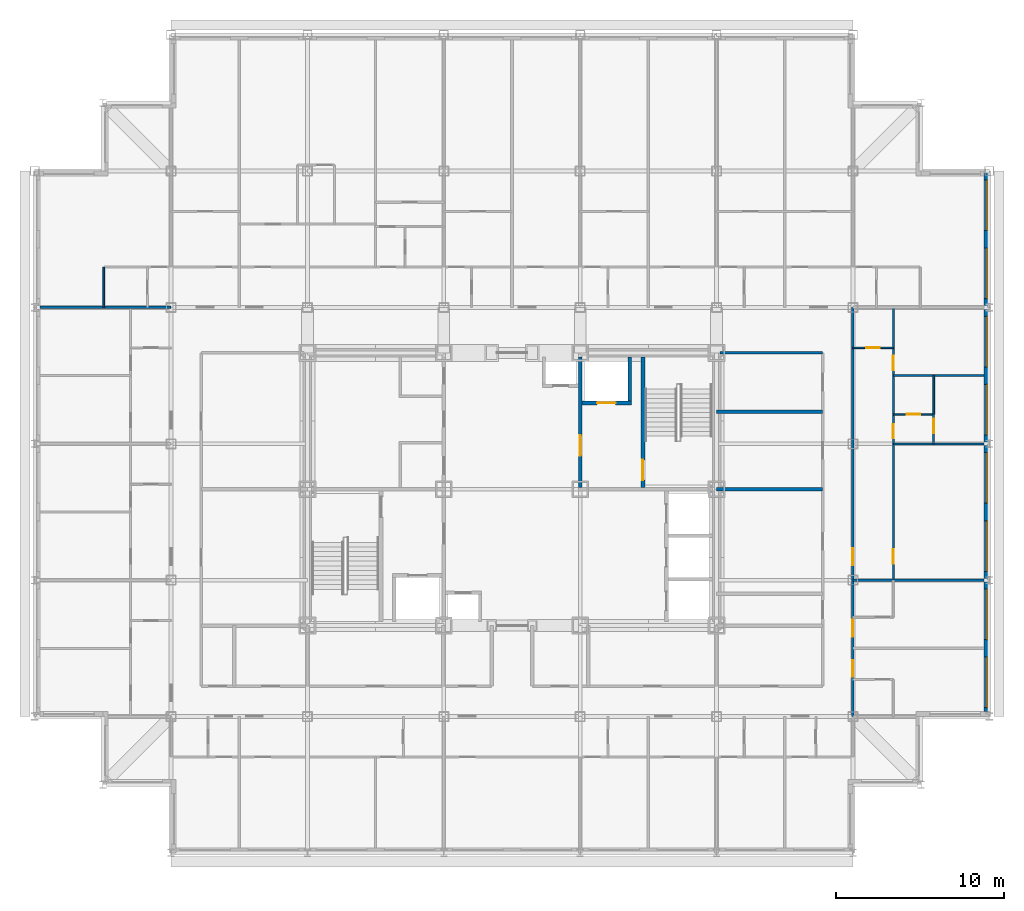
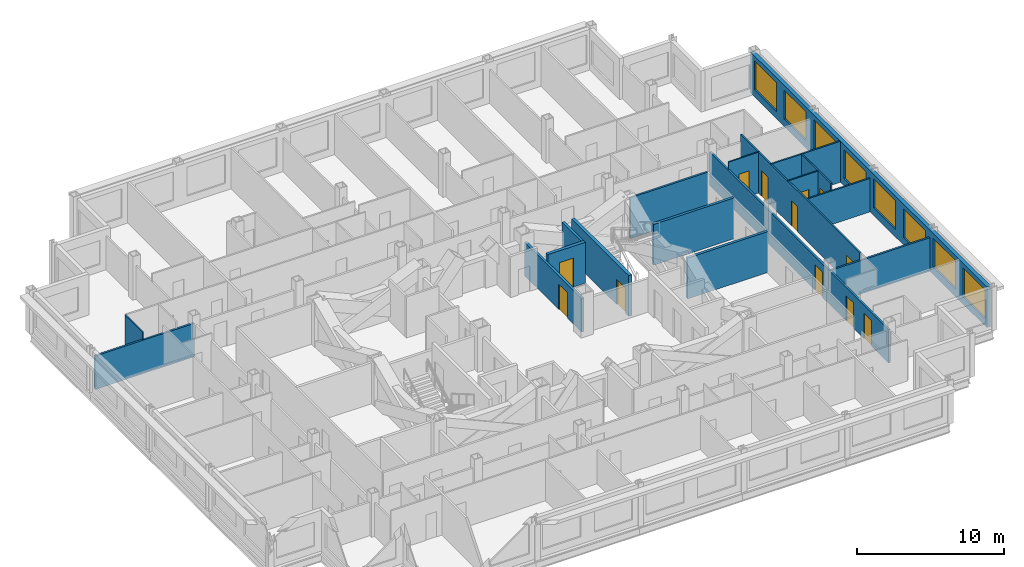
# One storey, part 8 of 12: 19 walls, 12 doors, 8 windows, 20 openings.
"""IFC4 building model written with IfcOpenShell, lengths in metres."""

import ifcopenshell
import ifcopenshell.guid

model = None  # the IFC model being written
_history = None  # IfcOwnerHistory: only IFC2X3 demands one
_inside = {}  # id of a spatial element -> (the spatial element, [elements in it])
_under = {}  # id of a project, library or spatial element -> (it, [spatial elements below it])
_declared = {}  # id of a project -> (the project, [libraries it declares])
_typed = {}  # id of a type object -> (the type object, [elements of that type])
_made_of = {}  # id of a material, layer set ... -> (it, [elements and type objects made of it])


def new_model(schema):
    """Start an empty IFC model of exactly this schema.

    Asked for "IFC4X3", IfcOpenShell would pick the latest addendum, in which some entities
    have other attributes; the version numbers below select the first issue.
    IFC2X3 requires an IfcOwnerHistory on every rooted entity: one is made here for all.
    """
    global model, _history
    if schema == "IFC4X3":
        model = ifcopenshell.file(schema_version=(4, 3, 0, 0))
    else:
        model = ifcopenshell.file(schema=schema)
    _inside.clear()
    _under.clear()
    _declared.clear()
    _typed.clear()
    _made_of.clear()
    _history = None
    if model.schema == "IFC2X3":
        org = make("IfcOrganization", Name="unknown")
        user = make(
            "IfcPersonAndOrganization",
            ThePerson=make("IfcPerson", FamilyName="unknown"),
            TheOrganization=org,
        )
        app = make(
            "IfcApplication",
            ApplicationDeveloper=org,
            Version="unknown",
            ApplicationFullName="unknown",
            ApplicationIdentifier="unknown",
        )
        _history = make(
            "IfcOwnerHistory",
            OwningUser=user,
            OwningApplication=app,
            ChangeAction="ADDED",
            CreationDate=0,
        )
    return model


def make(cls, **values):
    """One entity of the class cls with the attributes given. An attribute that is None is left unset."""
    return model.create_entity(
        cls, **{name: value for name, value in values.items() if value is not None}
    )


def rooted(cls, **values):
    """An entity with a GlobalId (a new one), such as an element, a storey or a relation."""
    return make(cls, GlobalId=ifcopenshell.guid.new(), OwnerHistory=_history, **values)


def si_unit(unit_type, name, prefix=None):
    """IfcSIUnit, for example si_unit("LENGTHUNIT", "METRE", prefix="MILLI")."""
    return make("IfcSIUnit", UnitType=unit_type, Prefix=prefix, Name=name)


def assignment(units):
    """IfcUnitAssignment: the units of a project."""
    return None if units is None else make("IfcUnitAssignment", Units=units)


def point(xyz):
    """IfcCartesianPoint."""
    return None if xyz is None else make("IfcCartesianPoint", Coordinates=xyz)


def direction(xyz):
    """IfcDirection."""
    return None if xyz is None else make("IfcDirection", DirectionRatios=xyz)


def frame(location, z_axis=None, x_axis=None):
    """IfcAxis2Placement3D, a coordinate frame: its origin and axes. An axis left out is left unset."""
    return make(
        "IfcAxis2Placement3D",
        Location=point(location),
        Axis=direction(z_axis),
        RefDirection=direction(x_axis),
    )


def frame_2d(location, x_axis=None):
    """IfcAxis2Placement2D, a coordinate frame in the plane: its origin and x axis."""
    return make(
        "IfcAxis2Placement2D", Location=point(location), RefDirection=direction(x_axis)
    )


def origin():
    """The frame at (0, 0, 0) with its axes left unset."""
    return frame((0.0, 0.0, 0.0))


def place(relative_to, where):
    """IfcLocalPlacement: puts the frame where relative to a parent placement (None: the world)."""
    return make(
        "IfcLocalPlacement", PlacementRelTo=relative_to, RelativePlacement=where
    )


def context(
    kind, dimensions, precision=None, world=None, true_north=None, identifier=None
):
    """IfcGeometricRepresentationContext, for example the 3D "Model" context."""
    return make(
        "IfcGeometricRepresentationContext",
        ContextIdentifier=identifier,
        ContextType=kind,
        CoordinateSpaceDimension=dimensions,
        Precision=precision,
        WorldCoordinateSystem=world,
        TrueNorth=true_north,
    )


def subcontext(parent, identifier, kind, view, scale=None):
    """IfcGeometricRepresentationSubContext, for example "Body" below "Model"."""
    return make(
        "IfcGeometricRepresentationSubContext",
        ContextIdentifier=identifier,
        ContextType=kind,
        ParentContext=parent,
        TargetScale=scale,
        TargetView=view,
    )


def project(units=None, contexts=None):
    """IfcProject with its units and contexts."""
    return rooted(
        "IfcProject",
        Name="project",
        RepresentationContexts=contexts,
        UnitsInContext=assignment(units),
    )


def spatial(cls, under=None, at=None, **own):
    """A site, building, storey or space (cls), placed at a placement, below another one or the project."""
    s = rooted(cls, ObjectPlacement=at, **own)
    if under is not None:
        _under.setdefault(under.id(), (under, []))[1].append(s)
    return s


def profile(cls, at=None, kind="AREA", **sizes):
    """A parametric profile (cls). Its sizes go by their IFC names, for example OverallWidth=200.0."""
    return make(cls, ProfileType=kind, Position=at, **sizes)


def rectangle(**sizes):
    """IfcRectangleProfileDef."""
    return profile("IfcRectangleProfileDef", **sizes)


def extrude(swept, where, along, depth):
    """IfcExtrudedAreaSolid: the profile swept, set in the frame where, extruded along a direction by depth."""
    return make(
        "IfcExtrudedAreaSolid",
        SweptArea=swept,
        Position=where,
        ExtrudedDirection=direction(along),
        Depth=depth,
    )


def shape(context_of_items, identifier, shape_type, items):
    """IfcShapeRepresentation: the items that make up one representation, for example the "Body"."""
    return make(
        "IfcShapeRepresentation",
        ContextOfItems=context_of_items,
        RepresentationIdentifier=identifier,
        RepresentationType=shape_type,
        Items=items,
    )


def material(Name=None, Category=None):
    """IfcMaterial."""
    return make("IfcMaterial", Name=Name, Category=Category)


def layer(
    of_material, thickness, ventilated=None, Name=None, Category=None, Priority=None
):
    """IfcMaterialLayer: one layer of a wall or slab, of a material (None: an air gap)."""
    return make(
        "IfcMaterialLayer",
        Material=of_material,
        LayerThickness=thickness,
        IsVentilated=ventilated,
        Name=Name,
        Category=Category,
        Priority=Priority,
    )


def layer_set(layers, Name=None):
    """IfcMaterialLayerSet."""
    return make("IfcMaterialLayerSet", MaterialLayers=layers, LayerSetName=Name)


def made_of(thing, what):
    """Note that an element or type object is made of a material, layer set ...; save() writes the relation."""
    if what is not None:
        _made_of.setdefault(what.id(), (what, []))[1].append(thing)
    return thing


def type_object(cls, material=None, **own):
    """A type object (cls), such as IfcWallType, which elements share."""
    return made_of(rooted(cls, **own), material)


def element(
    cls,
    number,
    at=None,
    inside=None,
    cuts=None,
    type_object=None,
    material=None,
    context=None,
    identifier="Body",
    shape_type=None,
    held_by="IfcProductDefinitionShape",
    body=None,
    shapes=None,
    **own,
):
    """One element of the class cls, such as IfcWall. Its Tag is "e" and its number.

    at: its placement. inside: the storey or other place that contains it. cuts: it is an
    opening in that element (IfcRelVoidsElement). A single representation is given by context,
    identifier, shape_type and body (its items); several are given by shapes. held_by: the class
    of the entity that holds the representations. save() writes the other relations.
    """
    e = rooted(cls, Tag="e%d" % number, ObjectPlacement=at, **own)
    if body is not None:
        shapes = [shape(context, identifier, shape_type, body)]
    if shapes is not None:
        e.Representation = make(held_by, Representations=shapes)
    if inside is not None:
        _inside.setdefault(inside.id(), (inside, []))[1].append(e)
    if cuts is not None:
        rooted(
            "IfcRelVoidsElement", RelatingBuildingElement=cuts, RelatedOpeningElement=e
        )
    if type_object is not None:
        _typed.setdefault(type_object.id(), (type_object, []))[1].append(e)
    return made_of(e, material)


def fill(opening, filler):
    """IfcRelFillsElement: the door or window that sits in an opening."""
    return rooted(
        "IfcRelFillsElement",
        RelatingOpeningElement=opening,
        RelatedBuildingElement=filler,
    )


def aggregate(whole, parts):
    """IfcRelAggregates: a whole, such as a stair, and the parts it consists of."""
    return rooted("IfcRelAggregates", RelatingObject=whole, RelatedObjects=parts)


def save(model, path):
    """Write the relations noted so far, then the file.

    IfcRelAggregates (storeys below a building ...), IfcRelContainedInSpatialStructure (elements
    in a storey), IfcRelDefinesByType, IfcRelAssociatesMaterial and IfcRelDeclares: one each for
    every whole, place, type object, material and project.
    """
    for whole, parts in _under.values():
        aggregate(whole, parts)
    for where, things in _inside.values():
        rooted(
            "IfcRelContainedInSpatialStructure",
            RelatedElements=things,
            RelatingStructure=where,
        )
    for kind, things in _typed.values():
        rooted("IfcRelDefinesByType", RelatedObjects=things, RelatingType=kind)
    for what, things in _made_of.values():
        rooted("IfcRelAssociatesMaterial", RelatedObjects=things, RelatingMaterial=what)
    for by, libraries in _declared.values():
        rooted("IfcRelDeclares", RelatingContext=by, RelatedDefinitions=libraries)
    model.write(path)


model = new_model("IFC4")

# Units and contexts
model_context = context("Model", 3, precision=1e-05, world=origin(), true_north=direction((0.0, 1.0)))
body_context = subcontext(model_context, "Body", "Model", "MODEL_VIEW")
ifc_project = project(units=[si_unit("LENGTHUNIT", "METRE"), si_unit("AREAUNIT", "SQUARE_METRE"), si_unit("VOLUMEUNIT", "CUBIC_METRE"), si_unit("PLANEANGLEUNIT", "RADIAN"), si_unit("MASSUNIT", "GRAM", prefix="KILO")], contexts=[model_context])

# Site, building, storey
site_placement = place(None, origin())
site = spatial("IfcSite", under=ifc_project, at=site_placement, CompositionType="ELEMENT")
building_placement = place(site_placement, origin())
building = spatial("IfcBuilding", under=site, at=building_placement, Name="Kopane Lantern Tower", CompositionType="ELEMENT")
storey_placement = place(building_placement, frame((0.0, 0.0, 199.199951171875)))
storey = spatial("IfcBuildingStorey", under=building, at=storey_placement, Name="L51", CompositionType="ELEMENT", Elevation=199.199951171875)

# Wall, openings, doors
ifc_material_1 = material(Name="Gypsum board on steel studs", Category="steel")
ifc_layer_1 = layer(ifc_material_1, 0.1201171875)
ifc_layer_set_1 = layer_set([ifc_layer_1], Name="APARTMENT INTERNAL WALL 120")
wall_type_1 = type_object("IfcWallType", Name="APARTMENT INTERNAL WALL 120", PredefinedType="PARTITIONING", material=ifc_layer_set_1)
wall_1_placement = place(storey_placement, frame((51.0, 27.0, 0.0), z_axis=(0.0, 0.0, 1.0), x_axis=(0.0, 1.0, 0.0)))
wall_1 = element("IfcWall", 1, at=wall_1_placement, inside=storey, type_object=wall_type_1, Name="Apartment Internal Wall 120 L51", PredefinedType="PARTITIONING", context=body_context, shape_type="SweptSolid", body=[
    extrude(rectangle(XDim=16.199951171875, YDim=0.1201171875, at=frame_2d((8.10009765625, 0.0))), origin(), (0.0, 0.0, 1.0), 3.39013671875),
])
opening_1_placement = place(wall_1_placement, frame((0.97509765625, 0.0, 0.0)))
opening_1 = element("IfcOpeningElement", 2, at=opening_1_placement, cuts=wall_1, Name="Opening L51-058", PredefinedType="OPENING", context=body_context, shape_type="SweptSolid", body=[
    extrude(rectangle(XDim=0.85009765625, YDim=2.10009765625, at=frame_2d((0.425048828125, 1.050048828125))), frame((0.0, 0.070068359375, 0.0), z_axis=(0.0, -1.0, 0.0), x_axis=(1.0, 0.0, 0.0)), (0.0, 0.0, 1.0), 0.14013671875),
])
opening_2_placement = place(wall_1_placement, frame((8.425048828125, 0.0, 0.0)))
opening_2 = element("IfcOpeningElement", 3, at=opening_2_placement, cuts=wall_1, Name="Opening L51-060", PredefinedType="OPENING", context=body_context, shape_type="SweptSolid", body=[
    extrude(rectangle(XDim=0.85009765625, YDim=2.10009765625, at=frame_2d((0.425048828125, 1.050048828125))), frame((0.0, 0.070068359375, 0.0), z_axis=(0.0, -1.0, 0.0), x_axis=(1.0, 0.0, 0.0)), (0.0, 0.0, 1.0), 0.14013671875),
])
opening_3_placement = place(wall_1_placement, frame((12.47509765625, 0.0, 0.0)))
opening_3 = element("IfcOpeningElement", 4, at=opening_3_placement, cuts=wall_1, Name="Opening L51-061", PredefinedType="OPENING", context=body_context, shape_type="SweptSolid", body=[
    extrude(rectangle(XDim=0.85009765625, YDim=2.10009765625, at=frame_2d((0.425048828125, 1.050048828125))), frame((0.0, 0.070068359375, 0.0), z_axis=(0.0, -1.0, 0.0), x_axis=(1.0, 0.0, 0.0)), (0.0, 0.0, 1.0), 0.14013671875),
])
ifc_material_2 = material(Name="Timber door set", Category="wood")
door_type_1 = type_object("IfcDoorType", Name="DOOR D4 850x2100", OperationType="SINGLE_SWING_LEFT", PredefinedType="DOOR", material=ifc_material_2)
door_1_placement = place(opening_1_placement, origin())
door_1 = element("IfcDoor", 5, at=door_1_placement, inside=storey, type_object=door_type_1, Name="Door L51-058", OperationType="SINGLE_SWING_LEFT", OverallHeight=2.10009765625, OverallWidth=0.85009765625, PredefinedType="DOOR", context=body_context, shape_type="SweptSolid", body=[
    extrude(rectangle(XDim=0.85009765625, YDim=2.10009765625, at=frame_2d((0.425048828125, 1.050048828125))), frame((0.0, 0.02490234375, 0.0), z_axis=(0.0, -1.0, 0.0), x_axis=(1.0, 0.0, 0.0)), (0.0, 0.0, 1.0), 0.050048828125),
])
fill(opening_1, door_1)
door_2_placement = place(opening_2_placement, origin())
door_2 = element("IfcDoor", 6, at=door_2_placement, inside=storey, type_object=door_type_1, Name="Door L51-060", OperationType="SINGLE_SWING_RIGHT", OverallHeight=2.10009765625, OverallWidth=0.85009765625, PredefinedType="DOOR", context=body_context, shape_type="SweptSolid", body=[
    extrude(rectangle(XDim=0.85009765625, YDim=2.10009765625, at=frame_2d((0.425048828125, 1.050048828125))), frame((0.0, 0.02490234375, 0.0), z_axis=(0.0, -1.0, 0.0), x_axis=(1.0, 0.0, 0.0)), (0.0, 0.0, 1.0), 0.050048828125),
])
fill(opening_2, door_2)
door_3_placement = place(opening_3_placement, origin())
door_3 = element("IfcDoor", 7, at=door_3_placement, inside=storey, type_object=door_type_1, Name="Door L51-061", OperationType="SINGLE_SWING_RIGHT", OverallHeight=2.10009765625, OverallWidth=0.85009765625, PredefinedType="DOOR", context=body_context, shape_type="SweptSolid", body=[
    extrude(rectangle(XDim=0.85009765625, YDim=2.10009765625, at=frame_2d((0.425048828125, 1.050048828125))), frame((0.0, 0.02490234375, 0.0), z_axis=(0.0, -1.0, 0.0), x_axis=(1.0, 0.0, 0.0)), (0.0, 0.0, 1.0), 0.050048828125),
])
fill(opening_3, door_3)

# Walls
wall_2_placement = place(storey_placement, frame((51.0, 35.10009765625, 0.0), z_axis=(0.0, 0.0, 1.0), x_axis=(1.0, 0.0, 0.0)))
element("IfcWall", 8, at=wall_2_placement, inside=storey, type_object=wall_type_1, Name="Apartment Internal Wall 120 L51", PredefinedType="PARTITIONING", context=body_context, shape_type="SweptSolid", body=[
    extrude(rectangle(XDim=5.39990234375, YDim=0.1201171875, at=frame_2d((2.699951171875, 0.0))), origin(), (0.0, 0.0, 1.0), 2.77783203125),
])
wall_3_placement = place(storey_placement, frame((51.0, 39.14990234375, 0.0), z_axis=(0.0, 0.0, 1.0), x_axis=(1.0, 0.0, 0.0)))
element("IfcWall", 9, at=wall_3_placement, inside=storey, type_object=wall_type_1, Name="Apartment Internal Wall 120 L51", PredefinedType="PARTITIONING", context=body_context, shape_type="SweptSolid", body=[
    extrude(rectangle(XDim=5.39990234375, YDim=0.1201171875, at=frame_2d((2.699951171875, 0.0))), origin(), (0.0, 0.0, 1.0), 3.39013671875),
])

# Wall, opening, door
wall_4_placement = place(storey_placement, frame((53.39990234375, 36.860107421875, 0.0), z_axis=(0.0, 0.0, 1.0), x_axis=(0.0, -1.0, 0.0)))
wall_4 = element("IfcWall", 10, at=wall_4_placement, inside=storey, type_object=wall_type_1, Name="Apartment Internal Wall 120 L51", PredefinedType="PARTITIONING", context=body_context, shape_type="SweptSolid", body=[
    extrude(rectangle(XDim=1.760009765625, YDim=0.1201171875, at=frame_2d((0.8798828125, 0.0))), origin(), (0.0, 0.0, 1.0), 3.39013671875),
])
opening_4_placement = place(wall_4_placement, frame((0.27490234375, 0.0, 0.0)))
opening_4 = element("IfcOpeningElement", 11, at=opening_4_placement, cuts=wall_4, Name="Opening L51-077", PredefinedType="OPENING", context=body_context, shape_type="SweptSolid", body=[
    extrude(rectangle(XDim=0.85009765625, YDim=2.10009765625, at=frame_2d((0.425048828125, 1.050048828125))), frame((0.0, 0.070068359375, 0.0), z_axis=(0.0, -1.0, 0.0), x_axis=(1.0, 0.0, 0.0)), (0.0, 0.0, 1.0), 0.14013671875),
])
door_4_placement = place(opening_4_placement, origin())
door_4 = element("IfcDoor", 12, at=door_4_placement, inside=storey, type_object=door_type_1, Name="Door L51-077", OperationType="SINGLE_SWING_RIGHT", OverallHeight=2.10009765625, OverallWidth=0.85009765625, PredefinedType="DOOR", context=body_context, shape_type="SweptSolid", body=[
    extrude(rectangle(XDim=0.85009765625, YDim=2.10009765625, at=frame_2d((0.425048828125, 1.050048828125))), frame((0.0, 0.02490234375, 0.0), z_axis=(0.0, -1.0, 0.0), x_axis=(1.0, 0.0, 0.0)), (0.0, 0.0, 1.0), 0.050048828125),
])
fill(opening_4, door_4)

ifc_material_3 = material(Name="Moisture-resistant board on steel studs", Category="steel")
ifc_layer_2 = layer(ifc_material_3, 0.10009765625)
ifc_layer_set_2 = layer_set([ifc_layer_2], Name="BATHROOM WALL 100")
wall_type_2 = type_object("IfcWallType", Name="BATHROOM WALL 100", PredefinedType="PARTITIONING", material=ifc_layer_set_2)
wall_5_placement = place(storey_placement, frame((48.60009765625, 40.800048828125, 0.0), z_axis=(0.0, 0.0, 1.0), x_axis=(1.0, 0.0, 0.0)))
wall_5 = element("IfcWall", 13, at=wall_5_placement, inside=storey, type_object=wall_type_2, Name="Bathroom Wall 100 L51", PredefinedType="PARTITIONING", context=body_context, shape_type="SweptSolid", body=[
    extrude(rectangle(XDim=2.39990234375, YDim=0.10009765625, at=frame_2d((1.199951171875, 0.0))), origin(), (0.0, 0.0, 1.0), 3.39013671875),
])
opening_5_placement = place(wall_5_placement, frame((0.800048828125, 0.0, 0.0)))
opening_5 = element("IfcOpeningElement", 14, at=opening_5_placement, cuts=wall_5, Name="Opening L51-056", PredefinedType="OPENING", context=body_context, shape_type="SweptSolid", body=[
    extrude(rectangle(XDim=0.800048828125, YDim=2.10009765625, at=frame_2d((0.39990234375, 1.050048828125))), frame((0.0, 0.06005859375, 0.0), z_axis=(0.0, -1.0, 0.0), x_axis=(1.0, 0.0, 0.0)), (0.0, 0.0, 1.0), 0.1201171875),
])
ifc_material_4 = material(Name="Timber door set", Category="wood")
door_type_2 = type_object("IfcDoorType", Name="DOOR D2 800x2100", OperationType="SINGLE_SWING_LEFT", PredefinedType="DOOR", material=ifc_material_4)
door_5_placement = place(opening_5_placement, origin())
door_5 = element("IfcDoor", 15, at=door_5_placement, inside=storey, type_object=door_type_2, Name="Door L51-056", OperationType="SINGLE_SWING_LEFT", OverallHeight=2.10009765625, OverallWidth=0.800048828125, PredefinedType="DOOR", context=body_context, shape_type="SweptSolid", body=[
    extrude(rectangle(XDim=0.800048828125, YDim=2.10009765625, at=frame_2d((0.39990234375, 1.050048828125))), frame((0.0, 0.02490234375, 0.0), z_axis=(0.0, -1.0, 0.0), x_axis=(1.0, 0.0, 0.0)), (0.0, 0.0, 1.0), 0.050048828125),
])
fill(opening_5, door_5)

wall_6_placement = place(storey_placement, frame((51.0, 36.85009765625, 0.0), z_axis=(0.0, 0.0, 1.0), x_axis=(1.0, 0.0, 0.0)))
wall_6 = element("IfcWall", 16, at=wall_6_placement, inside=storey, type_object=wall_type_2, Name="Bathroom Wall 100 L51", PredefinedType="PARTITIONING", context=body_context, shape_type="SweptSolid", body=[
    extrude(rectangle(XDim=2.39990234375, YDim=0.10009765625, at=frame_2d((1.199951171875, 0.0))), origin(), (0.0, 0.0, 1.0), 3.39013671875),
])
opening_6_placement = place(wall_6_placement, frame((0.800048828125, 0.0, 0.0)))
opening_6 = element("IfcOpeningElement", 17, at=opening_6_placement, cuts=wall_6, Name="Opening L51-059", PredefinedType="OPENING", context=body_context, shape_type="SweptSolid", body=[
    extrude(rectangle(XDim=0.800048828125, YDim=2.10009765625, at=frame_2d((0.39990234375, 1.050048828125))), frame((0.0, 0.06005859375, 0.0), z_axis=(0.0, -1.0, 0.0), x_axis=(1.0, 0.0, 0.0)), (0.0, 0.0, 1.0), 0.1201171875),
])
door_6_placement = place(opening_6_placement, origin())
door_6 = element("IfcDoor", 18, at=door_6_placement, inside=storey, type_object=door_type_2, Name="Door L51-059", OperationType="SINGLE_SWING_LEFT", OverallHeight=2.10009765625, OverallWidth=0.800048828125, PredefinedType="DOOR", context=body_context, shape_type="SweptSolid", body=[
    extrude(rectangle(XDim=0.800048828125, YDim=2.10009765625, at=frame_2d((0.39990234375, 1.050048828125))), frame((0.0, 0.02490234375, 0.0), z_axis=(0.0, -1.0, 0.0), x_axis=(1.0, 0.0, 0.0)), (0.0, 0.0, 1.0), 0.050048828125),
])
fill(opening_6, door_6)

# Walls
wall_7_placement = place(storey_placement, frame((53.39990234375, 36.85009765625, 0.0), z_axis=(0.0, 0.0, 1.0), x_axis=(0.0, 1.0, 0.0)))
element("IfcWall", 19, at=wall_7_placement, inside=storey, type_object=wall_type_2, Name="Bathroom Wall 100 L51", PredefinedType="PARTITIONING", context=body_context, shape_type="SweptSolid", body=[
    extrude(rectangle(XDim=2.2998046875, YDim=0.10009765625, at=frame_2d((1.14990234375, 0.0))), origin(), (0.0, 0.0, 1.0), 3.39013671875),
])
wall_8_placement = place(storey_placement, frame((4.10009765625, 43.199951171875, 0.0), z_axis=(0.0, 0.0, 1.0), x_axis=(0.0, 1.0, 0.0)))
element("IfcWall", 20, at=wall_8_placement, inside=storey, type_object=wall_type_2, Name="Bathroom Wall 100 L51", PredefinedType="PARTITIONING", context=body_context, shape_type="SweptSolid", body=[
    extrude(rectangle(XDim=2.400146484375, YDim=0.10009765625, at=frame_2d((1.2001953125, 0.0))), origin(), (0.0, 0.0, 1.0), 3.39013671875),
])

# Wall, opening, door
ifc_material_5 = material(Name="Gypsum shaft wall EI 120", Category="gypsum")
ifc_layer_3 = layer(ifc_material_5, 0.25)
ifc_layer_set_3 = layer_set([ifc_layer_3], Name="CORE SHAFT WALL 250 EI 120")
wall_type_3 = type_object("IfcWallType", Name="CORE SHAFT WALL 250 EI 120", PredefinedType="SOLIDWALL", material=ifc_layer_set_3)
wall_9_placement = place(storey_placement, frame((36.125, 32.5, 0.0), z_axis=(0.0, 0.0, 1.0), x_axis=(0.0, 1.0, 0.0)))
wall_9 = element("IfcWall", 21, at=wall_9_placement, inside=storey, type_object=wall_type_3, Name="Core shaft wall L51 XST2", PredefinedType="SOLIDWALL", context=body_context, shape_type="SweptSolid", body=[
    extrude(rectangle(XDim=7.75, YDim=0.25, at=frame_2d((3.875, 0.0))), origin(), (0.0, 0.0, 1.0), 3.39013671875),
])
opening_7_placement = place(wall_9_placement, frame((0.449951171875, 0.0, 0.0)))
opening_7 = element("IfcOpeningElement", 22, at=opening_7_placement, cuts=wall_9, Name="Opening 51.SD2", PredefinedType="OPENING", context=body_context, shape_type="SweptSolid", body=[
    extrude(rectangle(XDim=1.199951171875, YDim=2.10009765625, at=frame_2d((0.60009765625, 1.050048828125))), frame((0.0, 0.135009765625, 0.0), z_axis=(0.0, -1.0, 0.0), x_axis=(1.0, 0.0, 0.0)), (0.0, 0.0, 1.0), 0.27001953125),
])
ifc_material_6 = material(Name="Steel door set", Category="steel")
door_type_3 = type_object("IfcDoorType", Name="STAIR DOOR 1200x2100 FD60S", OperationType="SINGLE_SWING_LEFT", PredefinedType="DOOR", material=ifc_material_6)
door_7_placement = place(opening_7_placement, origin())
door_7 = element("IfcDoor", 23, at=door_7_placement, inside=storey, type_object=door_type_3, Name="Stair door ST2 L51", OperationType="SINGLE_SWING_RIGHT", OverallHeight=2.10009765625, OverallWidth=1.199951171875, PredefinedType="DOOR", context=body_context, shape_type="SweptSolid", body=[
    extrude(rectangle(XDim=1.199951171875, YDim=2.10009765625, at=frame_2d((0.60009765625, 1.050048828125))), frame((0.0, 0.02490234375, 0.0), z_axis=(0.0, -1.0, 0.0), x_axis=(1.0, 0.0, 0.0)), (0.0, 0.0, 1.0), 0.050048828125),
])
fill(opening_7, door_7)

wall_10_placement = place(storey_placement, frame((32.5, 37.52490234375, 0.0), z_axis=(0.0, 0.0, 1.0), x_axis=(1.0, 0.0, 0.0)))
wall_10 = element("IfcWall", 24, at=wall_10_placement, inside=storey, type_object=wall_type_3, Name="Core shaft wall L51 YLF2", PredefinedType="SOLIDWALL", context=body_context, shape_type="SweptSolid", body=[
    extrude(rectangle(XDim=2.949951171875, YDim=0.25, at=frame_2d((1.47509765625, 0.0))), origin(), (0.0, 0.0, 1.0), 3.39013671875),
])
opening_8_placement = place(wall_10_placement, frame((0.89990234375, 0.0, 0.0)))
opening_8 = element("IfcOpeningElement", 25, at=opening_8_placement, cuts=wall_10, Name="Opening 51.LD-LF2", PredefinedType="OPENING", context=body_context, shape_type="SweptSolid", body=[
    extrude(rectangle(XDim=1.10009765625, YDim=2.39990234375, at=frame_2d((0.550048828125, 1.199951171875))), frame((0.0, 0.135009765625, 0.0), z_axis=(0.0, -1.0, 0.0), x_axis=(1.0, 0.0, 0.0)), (0.0, 0.0, 1.0), 0.27001953125),
])
ifc_material_7 = material(Name="Steel door set", Category="steel")
door_type_4 = type_object("IfcDoorType", Name="LIFT LANDING DOOR 1100x2400 FD60", OperationType="DOUBLE_DOOR_SLIDING", PredefinedType="DOOR", material=ifc_material_7)
door_8_placement = place(opening_8_placement, origin())
door_8 = element("IfcDoor", 26, at=door_8_placement, inside=storey, type_object=door_type_4, Name="Landing door LF2 L51", OperationType="DOUBLE_DOOR_SLIDING", OverallHeight=2.39990234375, OverallWidth=1.10009765625, PredefinedType="DOOR", context=body_context, shape_type="SweptSolid", body=[
    extrude(rectangle(XDim=1.10009765625, YDim=2.39990234375, at=frame_2d((0.550048828125, 1.199951171875))), frame((0.0, 0.02490234375, 0.0), z_axis=(0.0, -1.0, 0.0), x_axis=(1.0, 0.0, 0.0)), (0.0, 0.0, 1.0), 0.050048828125),
])
fill(opening_8, door_8)

# Wall, openings, doors
ifc_material_8 = material(Name="Gypsum board on steel studs", Category="steel")
ifc_layer_4 = layer(ifc_material_8, 0.14990234375)
ifc_layer_set_4 = layer_set([ifc_layer_4], Name="CORRIDOR WALL 150 EI 60")
wall_type_4 = type_object("IfcWallType", Name="CORRIDOR WALL 150 EI 60", PredefinedType="PARTITIONING", material=ifc_layer_set_4)
wall_11_placement = place(storey_placement, frame((48.60009765625, 18.89990234375, 0.0), z_axis=(0.0, 0.0, 1.0), x_axis=(0.0, 1.0, 0.0)))
wall_11 = element("IfcWall", 27, at=wall_11_placement, inside=storey, type_object=wall_type_4, Name="Corridor Wall 150 Ei 60 L51", PredefinedType="PARTITIONING", context=body_context, shape_type="SweptSolid", body=[
    extrude(rectangle(XDim=24.300048828125, YDim=0.14990234375, at=frame_2d((12.14990234375, 0.0))), origin(), (0.0, 0.0, 1.0), 2.77783203125),
])
opening_9_placement = place(wall_11_placement, frame((2.35009765625, 0.0, 0.0)))
opening_9 = element("IfcOpeningElement", 28, at=opening_9_placement, cuts=wall_11, Name="Opening L51-053", PredefinedType="OPENING", context=body_context, shape_type="SweptSolid", body=[
    extrude(rectangle(XDim=1.0, YDim=2.10009765625, at=frame_2d((0.5, 1.050048828125))), frame((0.0, 0.0849609375, 0.0), z_axis=(0.0, -1.0, 0.0), x_axis=(1.0, 0.0, 0.0)), (0.0, 0.0, 1.0), 0.169921875),
])
opening_10_placement = place(wall_11_placement, frame((4.75, 0.0, 0.0)))
opening_10 = element("IfcOpeningElement", 29, at=opening_10_placement, cuts=wall_11, Name="Opening L51-055", PredefinedType="OPENING", context=body_context, shape_type="SweptSolid", body=[
    extrude(rectangle(XDim=1.0, YDim=2.10009765625, at=frame_2d((0.5, 1.050048828125))), frame((0.0, 0.0849609375, 0.0), z_axis=(0.0, -1.0, 0.0), x_axis=(1.0, 0.0, 0.0)), (0.0, 0.0, 1.0), 0.169921875),
])
opening_11_placement = place(wall_11_placement, frame((9.0, 0.0, 0.0)))
opening_11 = element("IfcOpeningElement", 30, at=opening_11_placement, cuts=wall_11, Name="Opening L51-057", PredefinedType="OPENING", context=body_context, shape_type="SweptSolid", body=[
    extrude(rectangle(XDim=1.0, YDim=2.10009765625, at=frame_2d((0.5, 1.050048828125))), frame((0.0, 0.0849609375, 0.0), z_axis=(0.0, -1.0, 0.0), x_axis=(1.0, 0.0, 0.0)), (0.0, 0.0, 1.0), 0.169921875),
])
ifc_material_9 = material(Name="Steel door set", Category="steel")
door_type_5 = type_object("IfcDoorType", Name="DOOR D3 1000x2100 FD30S", OperationType="SINGLE_SWING_LEFT", PredefinedType="DOOR", material=ifc_material_9)
door_9_placement = place(opening_9_placement, origin())
door_9 = element("IfcDoor", 31, at=door_9_placement, inside=storey, type_object=door_type_5, Name="Door L51-053", OperationType="SINGLE_SWING_RIGHT", OverallHeight=2.10009765625, OverallWidth=1.0, PredefinedType="DOOR", context=body_context, shape_type="SweptSolid", body=[
    extrude(rectangle(XDim=1.0, YDim=2.10009765625, at=frame_2d((0.5, 1.050048828125))), frame((0.0, 0.02490234375, 0.0), z_axis=(0.0, -1.0, 0.0), x_axis=(1.0, 0.0, 0.0)), (0.0, 0.0, 1.0), 0.050048828125),
])
fill(opening_9, door_9)
door_10_placement = place(opening_10_placement, origin())
door_10 = element("IfcDoor", 32, at=door_10_placement, inside=storey, type_object=door_type_5, Name="Door L51-055", OperationType="SINGLE_SWING_LEFT", OverallHeight=2.10009765625, OverallWidth=1.0, PredefinedType="DOOR", context=body_context, shape_type="SweptSolid", body=[
    extrude(rectangle(XDim=1.0, YDim=2.10009765625, at=frame_2d((0.5, 1.050048828125))), frame((0.0, 0.02490234375, 0.0), z_axis=(0.0, -1.0, 0.0), x_axis=(1.0, 0.0, 0.0)), (0.0, 0.0, 1.0), 0.050048828125),
])
fill(opening_10, door_10)
door_11_placement = place(opening_11_placement, origin())
door_11 = element("IfcDoor", 33, at=door_11_placement, inside=storey, type_object=door_type_5, Name="Door L51-057", OperationType="SINGLE_SWING_RIGHT", OverallHeight=2.10009765625, OverallWidth=1.0, PredefinedType="DOOR", context=body_context, shape_type="SweptSolid", body=[
    extrude(rectangle(XDim=1.0, YDim=2.10009765625, at=frame_2d((0.5, 1.050048828125))), frame((0.0, 0.02490234375, 0.0), z_axis=(0.0, -1.0, 0.0), x_axis=(1.0, 0.0, 0.0)), (0.0, 0.0, 1.0), 0.050048828125),
])
fill(opening_11, door_11)

# Walls
wall_12_placement = place(storey_placement, frame((46.800048828125, 40.5, 0.0), z_axis=(0.0, 0.0, 1.0), x_axis=(-1.0, 0.0, 0.0)))
element("IfcWall", 34, at=wall_12_placement, inside=storey, type_object=wall_type_4, Name="Corridor Wall 150 Ei 60 L51", PredefinedType="PARTITIONING", context=body_context, shape_type="SweptSolid", body=[
    extrude(rectangle(XDim=6.10009765625, YDim=0.14990234375, at=frame_2d((3.050048828125, 0.0))), origin(), (0.0, 0.0, 1.0), 3.39013671875),
])
ifc_material_10 = material(Name="Gypsum board on steel studs", Category="steel")
ifc_layer_5 = layer(ifc_material_10, 0.14990234375)
ifc_layer_set_5 = layer_set([ifc_layer_5], Name="DEMISING WALL 150 EI 60")
wall_type_5 = type_object("IfcWallType", Name="DEMISING WALL 150 EI 60", PredefinedType="PARTITIONING", material=ifc_layer_set_5)
wall_13_placement = place(storey_placement, frame((48.60009765625, 27.0, 0.0), z_axis=(0.0, 0.0, 1.0), x_axis=(1.0, 0.0, 0.0)))
element("IfcWall", 35, at=wall_13_placement, inside=storey, type_object=wall_type_5, Name="Demising Wall 150 Ei 60 L51", PredefinedType="PARTITIONING", context=body_context, shape_type="SweptSolid", body=[
    extrude(rectangle(XDim=7.7998046875, YDim=0.14990234375, at=frame_2d((3.89990234375, 0.0))), origin(), (0.0, 0.0, 1.0), 2.77783203125),
])
wall_14_placement = place(storey_placement, frame((0.300048828125, 43.199951171875, 0.0), z_axis=(0.0, 0.0, 1.0), x_axis=(1.0, 0.0, 0.0)))
element("IfcWall", 36, at=wall_14_placement, inside=storey, type_object=wall_type_5, Name="Demising Wall 150 Ei 60 L51", PredefinedType="PARTITIONING", context=body_context, shape_type="SweptSolid", body=[
    extrude(rectangle(XDim=7.800048828125, YDim=0.14990234375, at=frame_2d((3.89990234375, 0.0))), origin(), (0.0, 0.0, 1.0), 2.77783203125),
])

# Wall, openings, windows
ifc_material_11 = material(Name="Terracotta rainscreen on light steel framing", Category="masonry")
ifc_layer_6 = layer(ifc_material_11, 0.300048828125)
ifc_layer_set_6 = layer_set([ifc_layer_6], Name="EXTERNAL WALL EW1 300 TERRACOTTA")
wall_type_6 = type_object("IfcWallType", Name="EXTERNAL WALL EW1 300 TERRACOTTA", PredefinedType="SOLIDWALL", material=ifc_layer_set_6)
wall_15_placement = place(storey_placement, frame((56.550048828125, 19.199951171875, 0.0), z_axis=(0.0, 0.0, 1.0), x_axis=(0.0, 1.0, 0.0)))
wall_15 = element("IfcWall", 37, at=wall_15_placement, inside=storey, type_object=wall_type_6, Name="External wall E L51", PredefinedType="SOLIDWALL", context=body_context, shape_type="SweptSolid", body=[
    extrude(rectangle(XDim=32.10009765625, YDim=0.300048828125, at=frame_2d((16.050048828125, 0.0))), origin(), (0.0, 0.0, 1.0), 3.39013671875),
])
opening_12_placement = place(wall_15_placement, frame((0.22509765625, 0.0, 0.60009765625)))
opening_12 = element("IfcOpeningElement", 38, at=opening_12_placement, cuts=wall_15, Name="Opening WR300240", PredefinedType="OPENING", context=body_context, shape_type="SweptSolid", body=[
    extrude(rectangle(XDim=3.0, YDim=2.39990234375, at=frame_2d((1.5, 1.199951171875))), frame((0.0, 0.159912109375, 0.0), z_axis=(0.0, -1.0, 0.0), x_axis=(1.0, 0.0, 0.0)), (0.0, 0.0, 1.0), 0.320068359375),
])
opening_13_placement = place(wall_15_placement, frame((4.27490234375, 0.0, 0.60009765625)))
opening_13 = element("IfcOpeningElement", 39, at=opening_13_placement, cuts=wall_15, Name="Opening WR300240", PredefinedType="OPENING", context=body_context, shape_type="SweptSolid", body=[
    extrude(rectangle(XDim=3.0, YDim=2.39990234375, at=frame_2d((1.5, 1.199951171875))), frame((0.0, 0.159912109375, 0.0), z_axis=(0.0, -1.0, 0.0), x_axis=(1.0, 0.0, 0.0)), (0.0, 0.0, 1.0), 0.320068359375),
])
opening_14_placement = place(wall_15_placement, frame((8.324951171875, 0.0, 0.60009765625)))
opening_14 = element("IfcOpeningElement", 40, at=opening_14_placement, cuts=wall_15, Name="Opening WR300240", PredefinedType="OPENING", context=body_context, shape_type="SweptSolid", body=[
    extrude(rectangle(XDim=3.0, YDim=2.39990234375, at=frame_2d((1.5, 1.199951171875))), frame((0.0, 0.159912109375, 0.0), z_axis=(0.0, -1.0, 0.0), x_axis=(1.0, 0.0, 0.0)), (0.0, 0.0, 1.0), 0.320068359375),
])
opening_15_placement = place(wall_15_placement, frame((12.375, 0.0, 0.60009765625)))
opening_15 = element("IfcOpeningElement", 41, at=opening_15_placement, cuts=wall_15, Name="Opening WR300240", PredefinedType="OPENING", context=body_context, shape_type="SweptSolid", body=[
    extrude(rectangle(XDim=3.0, YDim=2.39990234375, at=frame_2d((1.5, 1.199951171875))), frame((0.0, 0.159912109375, 0.0), z_axis=(0.0, -1.0, 0.0), x_axis=(1.0, 0.0, 0.0)), (0.0, 0.0, 1.0), 0.320068359375),
])
opening_16_placement = place(wall_15_placement, frame((16.425048828125, 0.0, 0.60009765625)))
opening_16 = element("IfcOpeningElement", 42, at=opening_16_placement, cuts=wall_15, Name="Opening WR300240", PredefinedType="OPENING", context=body_context, shape_type="SweptSolid", body=[
    extrude(rectangle(XDim=3.0, YDim=2.39990234375, at=frame_2d((1.5, 1.199951171875))), frame((0.0, 0.159912109375, 0.0), z_axis=(0.0, -1.0, 0.0), x_axis=(1.0, 0.0, 0.0)), (0.0, 0.0, 1.0), 0.320068359375),
])
opening_17_placement = place(wall_15_placement, frame((20.47509765625, 0.0, 0.60009765625)))
opening_17 = element("IfcOpeningElement", 43, at=opening_17_placement, cuts=wall_15, Name="Opening WR300240", PredefinedType="OPENING", context=body_context, shape_type="SweptSolid", body=[
    extrude(rectangle(XDim=3.0, YDim=2.39990234375, at=frame_2d((1.5, 1.199951171875))), frame((0.0, 0.159912109375, 0.0), z_axis=(0.0, -1.0, 0.0), x_axis=(1.0, 0.0, 0.0)), (0.0, 0.0, 1.0), 0.320068359375),
])
opening_18_placement = place(wall_15_placement, frame((24.52490234375, 0.0, 0.60009765625)))
opening_18 = element("IfcOpeningElement", 44, at=opening_18_placement, cuts=wall_15, Name="Opening WR300240", PredefinedType="OPENING", context=body_context, shape_type="SweptSolid", body=[
    extrude(rectangle(XDim=3.0, YDim=2.39990234375, at=frame_2d((1.5, 1.199951171875))), frame((0.0, 0.159912109375, 0.0), z_axis=(0.0, -1.0, 0.0), x_axis=(1.0, 0.0, 0.0)), (0.0, 0.0, 1.0), 0.320068359375),
])
opening_19_placement = place(wall_15_placement, frame((28.574951171875, 0.0, 0.60009765625)))
opening_19 = element("IfcOpeningElement", 45, at=opening_19_placement, cuts=wall_15, Name="Opening WR300240", PredefinedType="OPENING", context=body_context, shape_type="SweptSolid", body=[
    extrude(rectangle(XDim=3.0, YDim=2.39990234375, at=frame_2d((1.5, 1.199951171875))), frame((0.0, 0.159912109375, 0.0), z_axis=(0.0, -1.0, 0.0), x_axis=(1.0, 0.0, 0.0)), (0.0, 0.0, 1.0), 0.320068359375),
])
ifc_material_12 = material(Name="Aluminium and clear glass", Category="aluminium")
window_type = type_object("IfcWindowType", Name="RIBBON WINDOW WR300240 3000x2400", PartitioningType="SINGLE_PANEL", PredefinedType="WINDOW", material=ifc_material_12)
window_1_placement = place(opening_12_placement, origin())
window_1 = element("IfcWindow", 46, at=window_1_placement, inside=storey, type_object=window_type, Name="Window E L51", OverallHeight=2.39990234375, OverallWidth=3.0, PartitioningType="SINGLE_PANEL", PredefinedType="WINDOW", context=body_context, shape_type="SweptSolid", body=[
    extrude(rectangle(XDim=3.0, YDim=2.39990234375, at=frame_2d((1.5, 1.199951171875))), frame((0.0, 0.030029296875, 0.0), z_axis=(0.0, -1.0, 0.0), x_axis=(1.0, 0.0, 0.0)), (0.0, 0.0, 1.0), 0.06005859375),
])
fill(opening_12, window_1)
window_2_placement = place(opening_13_placement, origin())
window_2 = element("IfcWindow", 47, at=window_2_placement, inside=storey, type_object=window_type, Name="Window E L51", OverallHeight=2.39990234375, OverallWidth=3.0, PartitioningType="SINGLE_PANEL", PredefinedType="WINDOW", context=body_context, shape_type="SweptSolid", body=[
    extrude(rectangle(XDim=3.0, YDim=2.39990234375, at=frame_2d((1.5, 1.199951171875))), frame((0.0, 0.030029296875, 0.0), z_axis=(0.0, -1.0, 0.0), x_axis=(1.0, 0.0, 0.0)), (0.0, 0.0, 1.0), 0.06005859375),
])
fill(opening_13, window_2)
window_3_placement = place(opening_14_placement, origin())
window_3 = element("IfcWindow", 48, at=window_3_placement, inside=storey, type_object=window_type, Name="Window E L51", OverallHeight=2.39990234375, OverallWidth=3.0, PartitioningType="SINGLE_PANEL", PredefinedType="WINDOW", context=body_context, shape_type="SweptSolid", body=[
    extrude(rectangle(XDim=3.0, YDim=2.39990234375, at=frame_2d((1.5, 1.199951171875))), frame((0.0, 0.030029296875, 0.0), z_axis=(0.0, -1.0, 0.0), x_axis=(1.0, 0.0, 0.0)), (0.0, 0.0, 1.0), 0.06005859375),
])
fill(opening_14, window_3)
window_4_placement = place(opening_15_placement, origin())
window_4 = element("IfcWindow", 49, at=window_4_placement, inside=storey, type_object=window_type, Name="Window E L51", OverallHeight=2.39990234375, OverallWidth=3.0, PartitioningType="SINGLE_PANEL", PredefinedType="WINDOW", context=body_context, shape_type="SweptSolid", body=[
    extrude(rectangle(XDim=3.0, YDim=2.39990234375, at=frame_2d((1.5, 1.199951171875))), frame((0.0, 0.030029296875, 0.0), z_axis=(0.0, -1.0, 0.0), x_axis=(1.0, 0.0, 0.0)), (0.0, 0.0, 1.0), 0.06005859375),
])
fill(opening_15, window_4)
window_5_placement = place(opening_16_placement, origin())
window_5 = element("IfcWindow", 50, at=window_5_placement, inside=storey, type_object=window_type, Name="Window E L51", OverallHeight=2.39990234375, OverallWidth=3.0, PartitioningType="SINGLE_PANEL", PredefinedType="WINDOW", context=body_context, shape_type="SweptSolid", body=[
    extrude(rectangle(XDim=3.0, YDim=2.39990234375, at=frame_2d((1.5, 1.199951171875))), frame((0.0, 0.030029296875, 0.0), z_axis=(0.0, -1.0, 0.0), x_axis=(1.0, 0.0, 0.0)), (0.0, 0.0, 1.0), 0.06005859375),
])
fill(opening_16, window_5)
window_6_placement = place(opening_17_placement, origin())
window_6 = element("IfcWindow", 51, at=window_6_placement, inside=storey, type_object=window_type, Name="Window E L51", OverallHeight=2.39990234375, OverallWidth=3.0, PartitioningType="SINGLE_PANEL", PredefinedType="WINDOW", context=body_context, shape_type="SweptSolid", body=[
    extrude(rectangle(XDim=3.0, YDim=2.39990234375, at=frame_2d((1.5, 1.199951171875))), frame((0.0, 0.030029296875, 0.0), z_axis=(0.0, -1.0, 0.0), x_axis=(1.0, 0.0, 0.0)), (0.0, 0.0, 1.0), 0.06005859375),
])
fill(opening_17, window_6)
window_7_placement = place(opening_18_placement, origin())
window_7 = element("IfcWindow", 52, at=window_7_placement, inside=storey, type_object=window_type, Name="Window E L51", OverallHeight=2.39990234375, OverallWidth=3.0, PartitioningType="SINGLE_PANEL", PredefinedType="WINDOW", context=body_context, shape_type="SweptSolid", body=[
    extrude(rectangle(XDim=3.0, YDim=2.39990234375, at=frame_2d((1.5, 1.199951171875))), frame((0.0, 0.030029296875, 0.0), z_axis=(0.0, -1.0, 0.0), x_axis=(1.0, 0.0, 0.0)), (0.0, 0.0, 1.0), 0.06005859375),
])
fill(opening_18, window_7)
window_8_placement = place(opening_19_placement, origin())
window_8 = element("IfcWindow", 53, at=window_8_placement, inside=storey, type_object=window_type, Name="Window E L51", OverallHeight=2.39990234375, OverallWidth=3.0, PartitioningType="SINGLE_PANEL", PredefinedType="WINDOW", context=body_context, shape_type="SweptSolid", body=[
    extrude(rectangle(XDim=3.0, YDim=2.39990234375, at=frame_2d((1.5, 1.199951171875))), frame((0.0, 0.030029296875, 0.0), z_axis=(0.0, -1.0, 0.0), x_axis=(1.0, 0.0, 0.0)), (0.0, 0.0, 1.0), 0.06005859375),
])
fill(opening_19, window_8)

# Walls
ifc_material_13 = material(Name="Concrete masonry", Category="masonry")
ifc_layer_7 = layer(ifc_material_13, 0.199951171875)
ifc_layer_set_7 = layer_set([ifc_layer_7], Name="PLANT ROOM WALL 200 EI 120")
wall_type_7 = type_object("IfcWallType", Name="PLANT ROOM WALL 200 EI 120", PredefinedType="SOLIDWALL", material=ifc_layer_set_7)
for number, where, z_axis, x_axis, name in (
    (54, (40.5, 32.39990234375, 0.0), (0.0, 0.0, 1.0), (1.0, 0.0, 0.0), "Plant Room Wall 200 Ei 120 L51"),
    (55, (46.800048828125, 37.003173828125, 0.0), (0.0, 0.0, 1.0), (-1.0, 0.0, 0.0), "Plant Room Wall 200 Ei 120 L51"),
):
    element("IfcWall", number, at=place(storey_placement, frame(where, z_axis=z_axis, x_axis=x_axis)), inside=storey, type_object=wall_type_7, Name=name, PredefinedType="SOLIDWALL", context=body_context, shape_type="SweptSolid", body=[
        extrude(rectangle(XDim=6.300048828125, YDim=0.199951171875, at=frame_2d((3.14990234375, 0.0))), origin(), (0.0, 0.0, 1.0), 3.39013671875),
    ])

# Wall, opening, door
ifc_material_14 = material(Name="Gypsum shaft wall EI 120", Category="gypsum")
ifc_layer_8 = layer(ifc_material_14, 0.199951171875)
ifc_layer_set_8 = layer_set([ifc_layer_8], Name="SHAFT WALL 200 EI 120")
wall_type_8 = type_object("IfcWallType", Name="SHAFT WALL 200 EI 120", PredefinedType="SOLIDWALL", material=ifc_layer_set_8)
wall_16_placement = place(storey_placement, frame((32.39990234375, 32.5, 0.0), z_axis=(0.0, 0.0, 1.0), x_axis=(0.0, 1.0, 0.0)))
wall_16 = element("IfcWall", 56, at=wall_16_placement, inside=storey, type_object=wall_type_8, Name="Core shaft wall L51 X324", PredefinedType="SOLIDWALL", context=body_context, shape_type="SweptSolid", body=[
    extrude(rectangle(XDim=7.75, YDim=0.199951171875, at=frame_2d((3.875, 0.0))), origin(), (0.0, 0.0, 1.0), 2.77783203125),
])
opening_20_placement = place(wall_16_placement, frame((1.89990234375, 0.0, 0.0)))
opening_20 = element("IfcOpeningElement", 57, at=opening_20_placement, cuts=wall_16, Name="Opening 51.FL2", PredefinedType="OPENING", context=body_context, shape_type="SweptSolid", body=[
    extrude(rectangle(XDim=1.199951171875, YDim=2.10009765625, at=frame_2d((0.60009765625, 1.050048828125))), frame((0.0, 0.10986328125, 0.0), z_axis=(0.0, -1.0, 0.0), x_axis=(1.0, 0.0, 0.0)), (0.0, 0.0, 1.0), 0.219970703125),
])
ifc_material_15 = material(Name="Steel door set", Category="steel")
door_type_6 = type_object("IfcDoorType", Name="FIREFIGHTING LOBBY DOOR 1200x2100 FD60S", OperationType="SINGLE_SWING_RIGHT", PredefinedType="DOOR", material=ifc_material_15)
door_12_placement = place(opening_20_placement, origin())
door_12 = element("IfcDoor", 58, at=door_12_placement, inside=storey, type_object=door_type_6, Name="Firefighting lobby door FL2 L51", OperationType="SINGLE_SWING_LEFT", OverallHeight=2.10009765625, OverallWidth=1.199951171875, PredefinedType="DOOR", context=body_context, shape_type="SweptSolid", body=[
    extrude(rectangle(XDim=1.199951171875, YDim=2.10009765625, at=frame_2d((0.60009765625, 1.050048828125))), frame((0.0, 0.02490234375, 0.0), z_axis=(0.0, -1.0, 0.0), x_axis=(1.0, 0.0, 0.0)), (0.0, 0.0, 1.0), 0.050048828125),
])
fill(opening_20, door_12)

# Wall
wall_17_placement = place(storey_placement, frame((35.35009765625, 37.64990234375, 0.0), z_axis=(0.0, 0.0, 1.0), x_axis=(0.0, 1.0, 0.0)))
element("IfcWall", 59, at=wall_17_placement, inside=storey, type_object=wall_type_8, Name="Core shaft wall L51 XLF2", PredefinedType="SOLIDWALL", context=body_context, shape_type="SweptSolid", body=[
    extrude(rectangle(XDim=2.60009765625, YDim=0.199951171875, at=frame_2d((1.300048828125, 0.0))), origin(), (0.0, 0.0, 1.0), 3.39013671875),
])

save(model, "model.ifc")
